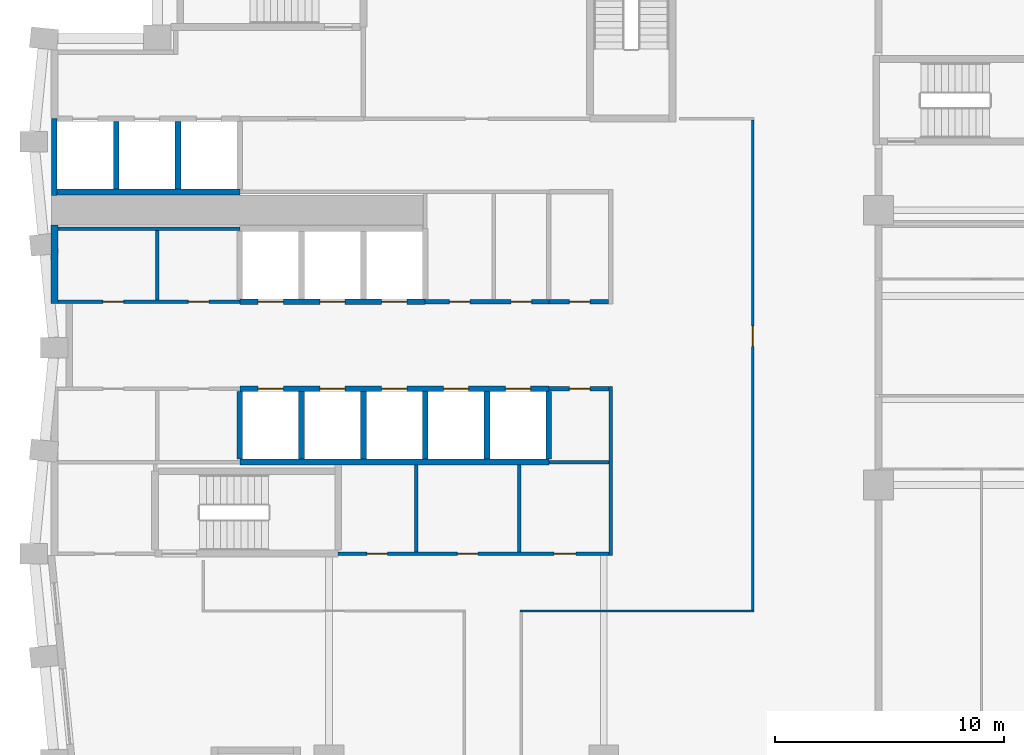
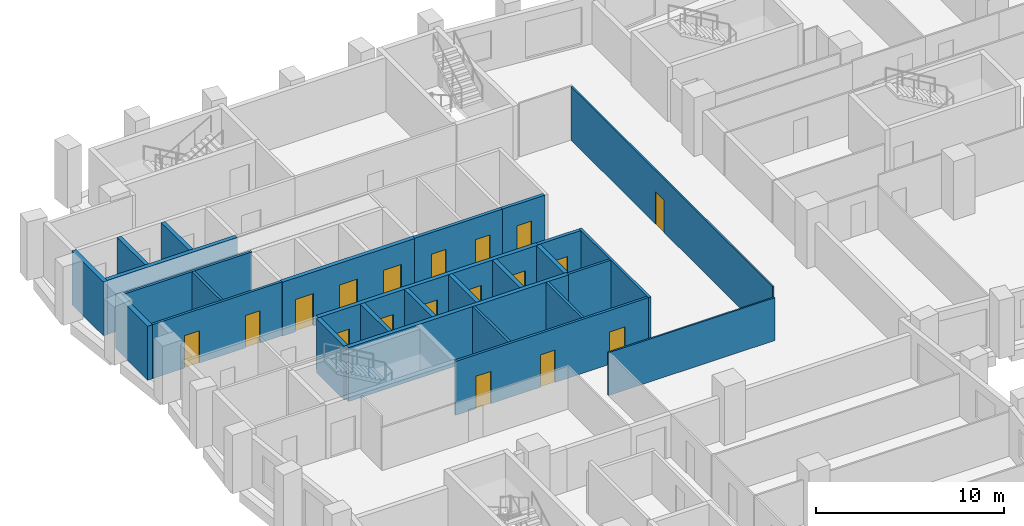
# One storey, part 5 of 11: 27 walls, 18 doors, 18 openings.
"""IFC4 building model written with IfcOpenShell, lengths in metres."""

from ifc_helpers import new_model, si_unit, direction, frame, frame_2d, origin, place, context, subcontext, project, spatial, rectangle, extrude, material, layer, layer_set, type_object, element, fill, save


model = new_model("IFC4")

# Units and contexts
model_context = context("Model", 3, precision=1e-05, world=origin(), true_north=direction((0.0, 1.0)))
body_context = subcontext(model_context, "Body", "Model", "MODEL_VIEW")
ifc_project = project(units=[si_unit("LENGTHUNIT", "METRE"), si_unit("AREAUNIT", "SQUARE_METRE"), si_unit("VOLUMEUNIT", "CUBIC_METRE"), si_unit("PLANEANGLEUNIT", "RADIAN"), si_unit("MASSUNIT", "GRAM", prefix="KILO")], contexts=[model_context])

# Site, building, storey
site_placement = place(None, origin())
site = spatial("IfcSite", under=ifc_project, at=site_placement, CompositionType="ELEMENT")
building_placement = place(site_placement, origin())
building = spatial("IfcBuilding", under=site, at=building_placement, Name="Brondeck Convention Tower", CompositionType="ELEMENT")
storey_placement = place(building_placement, frame((0.0, 0.0, 126.5)))
storey = spatial("IfcBuildingStorey", under=building, at=storey_placement, Name="L30", CompositionType="ELEMENT", Elevation=126.5)

# Wall, openings, doors
ifc_material_1 = material(Name="Concrete C70/85", Category="concrete")
ifc_layer_1 = layer(ifc_material_1, 0.14990234375)
ifc_layer_set_1 = layer_set([ifc_layer_1], Name="Core beam-seat wall 150 Concrete C70/85")
wall_type_1 = type_object("IfcWallType", Name="Core beam-seat wall 150 Concrete C70/85", PredefinedType="SHEAR", material=ifc_layer_set_1)
wall_1_placement = place(storey_placement, frame((12.39990234375, 36.0, 0.0), z_axis=(0.0, 0.0, 1.0), x_axis=(1.0, 0.0, 0.0)))
wall_1 = element("IfcWall", 1, at=wall_1_placement, inside=storey, type_object=wall_type_1, Name="L30 core wall", PredefinedType="SHEAR", context=body_context, shape_type="SweptSolid", body=[
    extrude(rectangle(XDim=11.8251953125, YDim=0.14990234375, at=frame_2d((5.91259765625, 0.0))), origin(), (0.0, 0.0, 1.0), 3.5),
])
opening_1_placement = place(wall_1_placement, frame((1.25, 0.0, 0.0)))
opening_1 = element("IfcOpeningElement", 2, at=opening_1_placement, cuts=wall_1, Name="Opening C17-03", PredefinedType="OPENING", context=body_context, shape_type="SweptSolid", body=[
    extrude(rectangle(XDim=0.89990234375, YDim=2.10009765625, at=frame_2d((0.449951171875, 1.050048828125))), frame((0.0, 0.0849609375, 0.0), z_axis=(0.0, -1.0, 0.0), x_axis=(1.0, 0.0, 0.0)), (0.0, 0.0, 1.0), 0.169921875),
])
opening_2_placement = place(wall_1_placement, frame((5.199951171875, 0.0, 0.0)))
opening_2 = element("IfcOpeningElement", 3, at=opening_2_placement, cuts=wall_1, Name="Opening C17-04", PredefinedType="OPENING", context=body_context, shape_type="SweptSolid", body=[
    extrude(rectangle(XDim=0.89990234375, YDim=2.10009765625, at=frame_2d((0.449951171875, 1.050048828125))), frame((0.0, 0.0849609375, 0.0), z_axis=(0.0, -1.0, 0.0), x_axis=(1.0, 0.0, 0.0)), (0.0, 0.0, 1.0), 0.169921875),
])
opening_3_placement = place(wall_1_placement, frame((9.425048828125, 0.0, 0.0)))
opening_3 = element("IfcOpeningElement", 4, at=opening_3_placement, cuts=wall_1, Name="Opening C17-05", PredefinedType="OPENING", context=body_context, shape_type="SweptSolid", body=[
    extrude(rectangle(XDim=0.949951171875, YDim=2.10009765625, at=frame_2d((0.47509765625, 1.050048828125))), frame((0.0, 0.0849609375, 0.0), z_axis=(0.0, -1.0, 0.0), x_axis=(1.0, 0.0, 0.0)), (0.0, 0.0, 1.0), 0.169921875),
])
ifc_material_2 = material(Name="Steel fire door", Category="steel")
door_type_1 = type_object("IfcDoorType", Name="Room door 900x2100 EI 60", OperationType="NOTDEFINED", PredefinedType="DOOR", material=ifc_material_2)
door_1_placement = place(opening_1_placement, origin())
door_1 = element("IfcDoor", 5, at=door_1_placement, inside=storey, type_object=door_type_1, Name="L30 Room door FR-1", OperationType="SINGLE_SWING_RIGHT", OverallHeight=2.10009765625, OverallWidth=0.89990234375, PredefinedType="DOOR", context=body_context, shape_type="SweptSolid", body=[
    extrude(rectangle(XDim=0.89990234375, YDim=2.10009765625, at=frame_2d((0.449951171875, 1.050048828125))), frame((0.0, 0.02490234375, 0.0), z_axis=(0.0, -1.0, 0.0), x_axis=(1.0, 0.0, 0.0)), (0.0, 0.0, 1.0), 0.050048828125),
])
fill(opening_1, door_1)
door_2_placement = place(opening_2_placement, origin())
door_2 = element("IfcDoor", 6, at=door_2_placement, inside=storey, type_object=door_type_1, Name="L30 Room door FR-2", OperationType="SINGLE_SWING_LEFT", OverallHeight=2.10009765625, OverallWidth=0.89990234375, PredefinedType="DOOR", context=body_context, shape_type="SweptSolid", body=[
    extrude(rectangle(XDim=0.89990234375, YDim=2.10009765625, at=frame_2d((0.449951171875, 1.050048828125))), frame((0.0, 0.02490234375, 0.0), z_axis=(0.0, -1.0, 0.0), x_axis=(1.0, 0.0, 0.0)), (0.0, 0.0, 1.0), 0.050048828125),
])
fill(opening_2, door_2)
door_type_2 = type_object("IfcDoorType", Name="Room door 950x2100 EI 60", OperationType="NOTDEFINED", PredefinedType="DOOR", material=ifc_material_2)
door_3_placement = place(opening_3_placement, origin())
door_3 = element("IfcDoor", 7, at=door_3_placement, inside=storey, type_object=door_type_2, Name="L30 Room door FR-3", OperationType="SINGLE_SWING_RIGHT", OverallHeight=2.10009765625, OverallWidth=0.949951171875, PredefinedType="DOOR", context=body_context, shape_type="SweptSolid", body=[
    extrude(rectangle(XDim=0.949951171875, YDim=2.10009765625, at=frame_2d((0.47509765625, 1.050048828125))), frame((0.0, 0.02490234375, 0.0), z_axis=(0.0, -1.0, 0.0), x_axis=(1.0, 0.0, 0.0)), (0.0, 0.0, 1.0), 0.050048828125),
])
fill(opening_3, door_3)

# Walls
ifc_layer_2 = layer(ifc_material_1, 0.300048828125)
ifc_layer_set_2 = layer_set([ifc_layer_2], Name="Core outer wall 300 Concrete C70/85")
wall_type_2 = type_object("IfcWallType", Name="Core outer wall 300 Concrete C70/85", PredefinedType="SHEAR", material=ifc_layer_set_2)
wall_2_placement = place(storey_placement, frame((0.0, 46.925048828125, 0.0), z_axis=(0.0, 0.0, 1.0), x_axis=(0.0, 1.0, 0.0)))
element("IfcWall", 8, at=wall_2_placement, inside=storey, type_object=wall_type_2, Name="L30 core wall", PredefinedType="SHEAR", context=body_context, shape_type="SweptSolid", body=[
    extrude(rectangle(XDim=3.425048828125, YDim=0.300048828125, at=frame_2d((1.71240234375, 0.0))), origin(), (0.0, 0.0, 1.0), 3.5),
])
ifc_material_3 = material(Name="Fire-rated gypsum board partition")
ifc_layer_3 = layer(ifc_material_3, 0.14990234375)
ifc_layer_set_3 = layer_set([ifc_layer_3], Name="Core partition 150 EI 60")
wall_type_3 = type_object("IfcWallType", Name="Core partition 150 EI 60", PredefinedType="PARTITIONING", material=ifc_layer_set_3)
wall_3_placement = place(storey_placement, frame((21.60009765625, 40.0, 0.0), z_axis=(0.0, 0.0, 1.0), x_axis=(1.0, 0.0, 0.0)))
element("IfcWall", 9, at=wall_3_placement, inside=storey, type_object=wall_type_3, Name="L30 core wall", PredefinedType="PARTITIONING", context=body_context, shape_type="SweptSolid", body=[
    extrude(rectangle(XDim=2.625, YDim=0.14990234375, at=frame_2d((1.3125, 0.0))), origin(), (0.0, 0.0, 1.0), 3.5),
])

# Wall, openings, doors
wall_4_placement = place(storey_placement, frame((0.14990234375, 47.0, 0.0), z_axis=(0.0, 0.0, 1.0), x_axis=(1.0, 0.0, 0.0)))
wall_4 = element("IfcWall", 10, at=wall_4_placement, inside=storey, type_object=wall_type_3, Name="L30 core wall", PredefinedType="PARTITIONING", context=body_context, shape_type="SweptSolid", body=[
    extrude(rectangle(XDim=7.9501953125, YDim=0.14990234375, at=frame_2d((3.97509765625, 0.0))), origin(), (0.0, 0.0, 1.0), 3.5),
])
opening_4_placement = place(wall_4_placement, frame((1.97509765625, 0.0, 0.0)))
opening_4 = element("IfcOpeningElement", 11, at=opening_4_placement, cuts=wall_4, Name="Opening C17-07", PredefinedType="OPENING", context=body_context, shape_type="SweptSolid", body=[
    extrude(rectangle(XDim=0.89990234375, YDim=2.10009765625, at=frame_2d((0.449951171875, 1.050048828125))), frame((0.0, 0.0849609375, 0.0), z_axis=(0.0, -1.0, 0.0), x_axis=(1.0, 0.0, 0.0)), (0.0, 0.0, 1.0), 0.169921875),
])
opening_5_placement = place(wall_4_placement, frame((5.699951171875, 0.0, 0.0)))
opening_5 = element("IfcOpeningElement", 12, at=opening_5_placement, cuts=wall_4, Name="Opening C17-08", PredefinedType="OPENING", context=body_context, shape_type="SweptSolid", body=[
    extrude(rectangle(XDim=0.89990234375, YDim=2.10009765625, at=frame_2d((0.449951171875, 1.050048828125))), frame((0.0, 0.0849609375, 0.0), z_axis=(0.0, -1.0, 0.0), x_axis=(1.0, 0.0, 0.0)), (0.0, 0.0, 1.0), 0.169921875),
])
door_4_placement = place(opening_4_placement, origin())
door_4 = element("IfcDoor", 13, at=door_4_placement, inside=storey, type_object=door_type_1, Name="L30 Room door FZ-N-0-1", OperationType="SINGLE_SWING_RIGHT", OverallHeight=2.10009765625, OverallWidth=0.89990234375, PredefinedType="DOOR", context=body_context, shape_type="SweptSolid", body=[
    extrude(rectangle(XDim=0.89990234375, YDim=2.10009765625, at=frame_2d((0.449951171875, 1.050048828125))), frame((0.0, 0.02490234375, 0.0), z_axis=(0.0, -1.0, 0.0), x_axis=(1.0, 0.0, 0.0)), (0.0, 0.0, 1.0), 0.050048828125),
])
fill(opening_4, door_4)
door_5_placement = place(opening_5_placement, origin())
door_5 = element("IfcDoor", 14, at=door_5_placement, inside=storey, type_object=door_type_1, Name="L30 Room door FZ-N-0-2", OperationType="SINGLE_SWING_LEFT", OverallHeight=2.10009765625, OverallWidth=0.89990234375, PredefinedType="DOOR", context=body_context, shape_type="SweptSolid", body=[
    extrude(rectangle(XDim=0.89990234375, YDim=2.10009765625, at=frame_2d((0.449951171875, 1.050048828125))), frame((0.0, 0.02490234375, 0.0), z_axis=(0.0, -1.0, 0.0), x_axis=(1.0, 0.0, 0.0)), (0.0, 0.0, 1.0), 0.050048828125),
])
fill(opening_5, door_5)

# Walls
wall_5_placement = place(storey_placement, frame((0.14990234375, 50.199951171875, 0.0), z_axis=(0.0, 0.0, 1.0), x_axis=(1.0, 0.0, 0.0)))
element("IfcWall", 15, at=wall_5_placement, inside=storey, type_object=wall_type_3, Name="L30 core wall", PredefinedType="PARTITIONING", context=body_context, shape_type="SweptSolid", body=[
    extrude(rectangle(XDim=7.9501953125, YDim=0.14990234375, at=frame_2d((3.97509765625, 0.0))), origin(), (0.0, 0.0, 1.0), 3.5),
])
wall_6_placement = place(storey_placement, frame((4.5, 47.074951171875, 0.0), z_axis=(0.0, 0.0, 1.0), x_axis=(0.0, 1.0, 0.0)))
element("IfcWall", 16, at=wall_6_placement, inside=storey, type_object=wall_type_3, Name="L30 core wall", PredefinedType="PARTITIONING", context=body_context, shape_type="SweptSolid", body=[
    extrude(rectangle(XDim=3.050048828125, YDim=0.14990234375, at=frame_2d((1.52490234375, 0.0))), origin(), (0.0, 0.0, 1.0), 3.5),
])
for number, where, z_axis, x_axis, name in (
    (17, (15.800048828125, 36.074951171875, 0.0), (0.0, 0.0, 1.0), (0.0, 1.0, 0.0), "L30 core wall"),
    (18, (20.300048828125, 36.074951171875, 0.0), (0.0, 0.0, 1.0), (0.0, 1.0, 0.0), "L30 core wall"),
):
    element("IfcWall", number, at=place(storey_placement, frame(where, z_axis=z_axis, x_axis=x_axis)), inside=storey, type_object=wall_type_3, Name=name, PredefinedType="PARTITIONING", context=body_context, shape_type="SweptSolid", body=[
        extrude(rectangle(XDim=3.800048828125, YDim=0.14990234375, at=frame_2d((1.89990234375, 0.0))), origin(), (0.0, 0.0, 1.0), 3.5),
    ])
wall_7_placement = place(storey_placement, frame((24.300048828125, 35.925048828125, 0.0), z_axis=(0.0, 0.0, 1.0), x_axis=(0.0, 1.0, 0.0)))
element("IfcWall", 19, at=wall_7_placement, inside=storey, type_object=wall_type_3, Name="L30 core wall", PredefinedType="PARTITIONING", context=body_context, shape_type="SweptSolid", body=[
    extrude(rectangle(XDim=7.375, YDim=0.14990234375, at=frame_2d((3.6875, 0.0))), origin(), (0.0, 0.0, 1.0), 3.5),
])

# Wall, opening, door
ifc_layer_4 = layer(ifc_material_3, 0.199951171875)
ifc_layer_set_4 = layer_set([ifc_layer_4], Name="Lift lobby wall 200 EI 60")
wall_type_4 = type_object("IfcWallType", Name="Lift lobby wall 200 EI 60", PredefinedType="PARTITIONING", material=ifc_layer_set_4)
wall_8_placement = place(storey_placement, frame((21.60009765625, 43.199951171875, 0.0), z_axis=(0.0, 0.0, 1.0), x_axis=(1.0, 0.0, 0.0)))
wall_8 = element("IfcWall", 20, at=wall_8_placement, inside=storey, type_object=wall_type_4, Name="L30 core wall", PredefinedType="PARTITIONING", context=body_context, shape_type="SweptSolid", body=[
    extrude(rectangle(XDim=2.625, YDim=0.199951171875, at=frame_2d((1.3125, 0.0))), origin(), (0.0, 0.0, 1.0), 3.5),
])
opening_6_placement = place(wall_8_placement, frame((0.89990234375, 0.0, 0.0)))
opening_6 = element("IfcOpeningElement", 21, at=opening_6_placement, cuts=wall_8, Name="Opening C17-13", PredefinedType="OPENING", context=body_context, shape_type="SweptSolid", body=[
    extrude(rectangle(XDim=0.89990234375, YDim=2.10009765625, at=frame_2d((0.449951171875, 1.050048828125))), frame((0.0, 0.10986328125, 0.0), z_axis=(0.0, -1.0, 0.0), x_axis=(1.0, 0.0, 0.0)), (0.0, 0.0, 1.0), 0.219970703125),
])
door_6_placement = place(opening_6_placement, origin())
door_6 = element("IfcDoor", 22, at=door_6_placement, inside=storey, type_object=door_type_1, Name="L30 Room door FZ-S-21.6-1", OperationType="SINGLE_SWING_RIGHT", OverallHeight=2.10009765625, OverallWidth=0.89990234375, PredefinedType="DOOR", context=body_context, shape_type="SweptSolid", body=[
    extrude(rectangle(XDim=0.89990234375, YDim=2.10009765625, at=frame_2d((0.449951171875, 1.050048828125))), frame((0.0, 0.02490234375, 0.0), z_axis=(0.0, -1.0, 0.0), x_axis=(1.0, 0.0, 0.0)), (0.0, 0.0, 1.0), 0.050048828125),
])
fill(opening_6, door_6)

# Wall, openings, doors
wall_9_placement = place(storey_placement, frame((16.199951171875, 47.0, 0.0), z_axis=(0.0, 0.0, 1.0), x_axis=(1.0, 0.0, 0.0)))
wall_9 = element("IfcWall", 23, at=wall_9_placement, inside=storey, type_object=wall_type_4, Name="L30 core wall", PredefinedType="PARTITIONING", context=body_context, shape_type="SweptSolid", body=[
    extrude(rectangle(XDim=5.400146484375, YDim=0.199951171875, at=frame_2d((2.7001953125, 0.0))), origin(), (0.0, 0.0, 1.0), 3.5),
])
opening_7_placement = place(wall_9_placement, frame((1.050048828125, 0.0, 0.0)))
opening_7 = element("IfcOpeningElement", 24, at=opening_7_placement, cuts=wall_9, Name="Opening C17-09", PredefinedType="OPENING", context=body_context, shape_type="SweptSolid", body=[
    extrude(rectangle(XDim=0.89990234375, YDim=2.10009765625, at=frame_2d((0.449951171875, 1.050048828125))), frame((0.0, 0.10986328125, 0.0), z_axis=(0.0, -1.0, 0.0), x_axis=(1.0, 0.0, 0.0)), (0.0, 0.0, 1.0), 0.219970703125),
])
opening_8_placement = place(wall_9_placement, frame((3.75, 0.0, 0.0)))
opening_8 = element("IfcOpeningElement", 25, at=opening_8_placement, cuts=wall_9, Name="Opening C17-10", PredefinedType="OPENING", context=body_context, shape_type="SweptSolid", body=[
    extrude(rectangle(XDim=0.89990234375, YDim=2.10009765625, at=frame_2d((0.449951171875, 1.050048828125))), frame((0.0, 0.10986328125, 0.0), z_axis=(0.0, -1.0, 0.0), x_axis=(1.0, 0.0, 0.0)), (0.0, 0.0, 1.0), 0.219970703125),
])
door_7_placement = place(opening_7_placement, origin())
door_7 = element("IfcDoor", 26, at=door_7_placement, inside=storey, type_object=door_type_1, Name="L30 Room door FZ-N-16.2-1", OperationType="SINGLE_SWING_LEFT", OverallHeight=2.10009765625, OverallWidth=0.89990234375, PredefinedType="DOOR", context=body_context, shape_type="SweptSolid", body=[
    extrude(rectangle(XDim=0.89990234375, YDim=2.10009765625, at=frame_2d((0.449951171875, 1.050048828125))), frame((0.0, 0.02490234375, 0.0), z_axis=(0.0, -1.0, 0.0), x_axis=(1.0, 0.0, 0.0)), (0.0, 0.0, 1.0), 0.050048828125),
])
fill(opening_7, door_7)
door_8_placement = place(opening_8_placement, origin())
door_8 = element("IfcDoor", 27, at=door_8_placement, inside=storey, type_object=door_type_1, Name="L30 Room door FZ-N-16.2-2", OperationType="SINGLE_SWING_RIGHT", OverallHeight=2.10009765625, OverallWidth=0.89990234375, PredefinedType="DOOR", context=body_context, shape_type="SweptSolid", body=[
    extrude(rectangle(XDim=0.89990234375, YDim=2.10009765625, at=frame_2d((0.449951171875, 1.050048828125))), frame((0.0, 0.02490234375, 0.0), z_axis=(0.0, -1.0, 0.0), x_axis=(1.0, 0.0, 0.0)), (0.0, 0.0, 1.0), 0.050048828125),
])
fill(opening_8, door_8)

# Wall
ifc_layer_5 = layer(ifc_material_1, 0.25)
ifc_layer_set_5 = layer_set([ifc_layer_5], Name="Lift shaft wall 250 Concrete C70/85")
wall_type_5 = type_object("IfcWallType", Name="Lift shaft wall 250 Concrete C70/85", PredefinedType="SHEAR", material=ifc_layer_set_5)
wall_10_placement = place(storey_placement, frame((8.10009765625, 40.0, 0.0), z_axis=(0.0, 0.0, 1.0), x_axis=(1.0, 0.0, 0.0)))
element("IfcWall", 28, at=wall_10_placement, inside=storey, type_object=wall_type_5, Name="L30 core wall", PredefinedType="SHEAR", context=body_context, shape_type="SweptSolid", body=[
    extrude(rectangle(XDim=13.5, YDim=0.25, at=frame_2d((6.75, 0.0))), origin(), (0.0, 0.0, 1.0), 3.5),
])

# Wall, openings, doors
wall_11_placement = place(storey_placement, frame((8.10009765625, 43.199951171875, 0.0), z_axis=(0.0, 0.0, 1.0), x_axis=(1.0, 0.0, 0.0)))
wall_11 = element("IfcWall", 29, at=wall_11_placement, inside=storey, type_object=wall_type_5, Name="L30 core wall", PredefinedType="SHEAR", context=body_context, shape_type="SweptSolid", body=[
    extrude(rectangle(XDim=13.5, YDim=0.25, at=frame_2d((6.75, 0.0))), origin(), (0.0, 0.0, 1.0), 3.5),
])
opening_9_placement = place(wall_11_placement, frame((0.800048828125, 0.0, 0.0)))
opening_9 = element("IfcOpeningElement", 30, at=opening_9_placement, cuts=wall_11, Name="Opening C17-25", PredefinedType="OPENING", context=body_context, shape_type="SweptSolid", body=[
    extrude(rectangle(XDim=1.10009765625, YDim=2.10009765625, at=frame_2d((0.550048828125, 1.050048828125))), frame((0.0, 0.135009765625, 0.0), z_axis=(0.0, -1.0, 0.0), x_axis=(1.0, 0.0, 0.0)), (0.0, 0.0, 1.0), 0.27001953125),
])
opening_10_placement = place(wall_11_placement, frame((3.5, 0.0, 0.0)))
opening_10 = element("IfcOpeningElement", 31, at=opening_10_placement, cuts=wall_11, Name="Opening C17-26", PredefinedType="OPENING", context=body_context, shape_type="SweptSolid", body=[
    extrude(rectangle(XDim=1.10009765625, YDim=2.10009765625, at=frame_2d((0.550048828125, 1.050048828125))), frame((0.0, 0.135009765625, 0.0), z_axis=(0.0, -1.0, 0.0), x_axis=(1.0, 0.0, 0.0)), (0.0, 0.0, 1.0), 0.27001953125),
])
opening_11_placement = place(wall_11_placement, frame((6.199951171875, 0.0, 0.0)))
opening_11 = element("IfcOpeningElement", 32, at=opening_11_placement, cuts=wall_11, Name="Opening C17-27", PredefinedType="OPENING", context=body_context, shape_type="SweptSolid", body=[
    extrude(rectangle(XDim=1.10009765625, YDim=2.10009765625, at=frame_2d((0.550048828125, 1.050048828125))), frame((0.0, 0.135009765625, 0.0), z_axis=(0.0, -1.0, 0.0), x_axis=(1.0, 0.0, 0.0)), (0.0, 0.0, 1.0), 0.27001953125),
])
opening_12_placement = place(wall_11_placement, frame((8.89990234375, 0.0, 0.0)))
opening_12 = element("IfcOpeningElement", 33, at=opening_12_placement, cuts=wall_11, Name="Opening C17-31", PredefinedType="OPENING", context=body_context, shape_type="SweptSolid", body=[
    extrude(rectangle(XDim=1.10009765625, YDim=2.10009765625, at=frame_2d((0.550048828125, 1.050048828125))), frame((0.0, 0.135009765625, 0.0), z_axis=(0.0, -1.0, 0.0), x_axis=(1.0, 0.0, 0.0)), (0.0, 0.0, 1.0), 0.27001953125),
])
opening_13_placement = place(wall_11_placement, frame((11.60009765625, 0.0, 0.0)))
opening_13 = element("IfcOpeningElement", 34, at=opening_13_placement, cuts=wall_11, Name="Opening C17-32", PredefinedType="OPENING", context=body_context, shape_type="SweptSolid", body=[
    extrude(rectangle(XDim=1.10009765625, YDim=2.10009765625, at=frame_2d((0.550048828125, 1.050048828125))), frame((0.0, 0.135009765625, 0.0), z_axis=(0.0, -1.0, 0.0), x_axis=(1.0, 0.0, 0.0)), (0.0, 0.0, 1.0), 0.27001953125),
])
ifc_material_4 = material(Name="Stainless steel lift door", Category="steel")
door_type_3 = type_object("IfcDoorType", Name="Lift landing door 1100x2100 EI 180", OperationType="DOUBLE_DOOR_SLIDING", PredefinedType="DOOR", material=ifc_material_4)
door_9_placement = place(opening_9_placement, origin())
door_9 = element("IfcDoor", 35, at=door_9_placement, inside=storey, type_object=door_type_3, Name="L30 Lift landing door LR1", OperationType="DOUBLE_DOOR_SLIDING", OverallHeight=2.10009765625, OverallWidth=1.10009765625, PredefinedType="DOOR", context=body_context, shape_type="SweptSolid", body=[
    extrude(rectangle(XDim=1.10009765625, YDim=2.10009765625, at=frame_2d((0.550048828125, 1.050048828125))), frame((0.0, 0.02490234375, 0.0), z_axis=(0.0, -1.0, 0.0), x_axis=(1.0, 0.0, 0.0)), (0.0, 0.0, 1.0), 0.050048828125),
])
fill(opening_9, door_9)
door_10_placement = place(opening_10_placement, origin())
door_10 = element("IfcDoor", 36, at=door_10_placement, inside=storey, type_object=door_type_3, Name="L30 Lift landing door LR2", OperationType="DOUBLE_DOOR_SLIDING", OverallHeight=2.10009765625, OverallWidth=1.10009765625, PredefinedType="DOOR", context=body_context, shape_type="SweptSolid", body=[
    extrude(rectangle(XDim=1.10009765625, YDim=2.10009765625, at=frame_2d((0.550048828125, 1.050048828125))), frame((0.0, 0.02490234375, 0.0), z_axis=(0.0, -1.0, 0.0), x_axis=(1.0, 0.0, 0.0)), (0.0, 0.0, 1.0), 0.050048828125),
])
fill(opening_10, door_10)
door_11_placement = place(opening_11_placement, origin())
door_11 = element("IfcDoor", 37, at=door_11_placement, inside=storey, type_object=door_type_3, Name="L30 Lift landing door LR3", OperationType="DOUBLE_DOOR_SLIDING", OverallHeight=2.10009765625, OverallWidth=1.10009765625, PredefinedType="DOOR", context=body_context, shape_type="SweptSolid", body=[
    extrude(rectangle(XDim=1.10009765625, YDim=2.10009765625, at=frame_2d((0.550048828125, 1.050048828125))), frame((0.0, 0.02490234375, 0.0), z_axis=(0.0, -1.0, 0.0), x_axis=(1.0, 0.0, 0.0)), (0.0, 0.0, 1.0), 0.050048828125),
])
fill(opening_11, door_11)
door_12_placement = place(opening_12_placement, origin())
door_12 = element("IfcDoor", 38, at=door_12_placement, inside=storey, type_object=door_type_3, Name="L30 Lift landing door SH1", OperationType="DOUBLE_DOOR_SLIDING", OverallHeight=2.10009765625, OverallWidth=1.10009765625, PredefinedType="DOOR", context=body_context, shape_type="SweptSolid", body=[
    extrude(rectangle(XDim=1.10009765625, YDim=2.10009765625, at=frame_2d((0.550048828125, 1.050048828125))), frame((0.0, 0.02490234375, 0.0), z_axis=(0.0, -1.0, 0.0), x_axis=(1.0, 0.0, 0.0)), (0.0, 0.0, 1.0), 0.050048828125),
])
fill(opening_12, door_12)
door_13_placement = place(opening_13_placement, origin())
door_13 = element("IfcDoor", 39, at=door_13_placement, inside=storey, type_object=door_type_3, Name="L30 Lift landing door SH2", OperationType="DOUBLE_DOOR_SLIDING", OverallHeight=2.10009765625, OverallWidth=1.10009765625, PredefinedType="DOOR", context=body_context, shape_type="SweptSolid", body=[
    extrude(rectangle(XDim=1.10009765625, YDim=2.10009765625, at=frame_2d((0.550048828125, 1.050048828125))), frame((0.0, 0.02490234375, 0.0), z_axis=(0.0, -1.0, 0.0), x_axis=(1.0, 0.0, 0.0)), (0.0, 0.0, 1.0), 0.050048828125),
])
fill(opening_13, door_13)

wall_12_placement = place(storey_placement, frame((8.10009765625, 47.0, 0.0), z_axis=(0.0, 0.0, 1.0), x_axis=(1.0, 0.0, 0.0)))
wall_12 = element("IfcWall", 40, at=wall_12_placement, inside=storey, type_object=wall_type_5, Name="L30 core wall", PredefinedType="SHEAR", context=body_context, shape_type="SweptSolid", body=[
    extrude(rectangle(XDim=8.099853515625, YDim=0.25, at=frame_2d((4.0498046875, 0.0))), origin(), (0.0, 0.0, 1.0), 3.5),
])
opening_14_placement = place(wall_12_placement, frame((0.800048828125, 0.0, 0.0)))
opening_14 = element("IfcOpeningElement", 41, at=opening_14_placement, cuts=wall_12, Name="Opening C17-28", PredefinedType="OPENING", context=body_context, shape_type="SweptSolid", body=[
    extrude(rectangle(XDim=1.10009765625, YDim=2.10009765625, at=frame_2d((0.550048828125, 1.050048828125))), frame((0.0, 0.135009765625, 0.0), z_axis=(0.0, -1.0, 0.0), x_axis=(1.0, 0.0, 0.0)), (0.0, 0.0, 1.0), 0.27001953125),
])
opening_15_placement = place(wall_12_placement, frame((3.5, 0.0, 0.0)))
opening_15 = element("IfcOpeningElement", 42, at=opening_15_placement, cuts=wall_12, Name="Opening C17-29", PredefinedType="OPENING", context=body_context, shape_type="SweptSolid", body=[
    extrude(rectangle(XDim=1.10009765625, YDim=2.10009765625, at=frame_2d((0.550048828125, 1.050048828125))), frame((0.0, 0.135009765625, 0.0), z_axis=(0.0, -1.0, 0.0), x_axis=(1.0, 0.0, 0.0)), (0.0, 0.0, 1.0), 0.27001953125),
])
opening_16_placement = place(wall_12_placement, frame((6.199951171875, 0.0, 0.0)))
opening_16 = element("IfcOpeningElement", 43, at=opening_16_placement, cuts=wall_12, Name="Opening C17-30", PredefinedType="OPENING", context=body_context, shape_type="SweptSolid", body=[
    extrude(rectangle(XDim=1.10009765625, YDim=2.10009765625, at=frame_2d((0.550048828125, 1.050048828125))), frame((0.0, 0.135009765625, 0.0), z_axis=(0.0, -1.0, 0.0), x_axis=(1.0, 0.0, 0.0)), (0.0, 0.0, 1.0), 0.27001953125),
])
door_14_placement = place(opening_14_placement, origin())
door_14 = element("IfcDoor", 44, at=door_14_placement, inside=storey, type_object=door_type_3, Name="L30 Lift landing door LR4", OperationType="DOUBLE_DOOR_SLIDING", OverallHeight=2.10009765625, OverallWidth=1.10009765625, PredefinedType="DOOR", context=body_context, shape_type="SweptSolid", body=[
    extrude(rectangle(XDim=1.10009765625, YDim=2.10009765625, at=frame_2d((0.550048828125, 1.050048828125))), frame((0.0, 0.02490234375, 0.0), z_axis=(0.0, -1.0, 0.0), x_axis=(1.0, 0.0, 0.0)), (0.0, 0.0, 1.0), 0.050048828125),
])
fill(opening_14, door_14)
door_15_placement = place(opening_15_placement, origin())
door_15 = element("IfcDoor", 45, at=door_15_placement, inside=storey, type_object=door_type_3, Name="L30 Lift landing door LR5", OperationType="DOUBLE_DOOR_SLIDING", OverallHeight=2.10009765625, OverallWidth=1.10009765625, PredefinedType="DOOR", context=body_context, shape_type="SweptSolid", body=[
    extrude(rectangle(XDim=1.10009765625, YDim=2.10009765625, at=frame_2d((0.550048828125, 1.050048828125))), frame((0.0, 0.02490234375, 0.0), z_axis=(0.0, -1.0, 0.0), x_axis=(1.0, 0.0, 0.0)), (0.0, 0.0, 1.0), 0.050048828125),
])
fill(opening_15, door_15)
door_16_placement = place(opening_16_placement, origin())
door_16 = element("IfcDoor", 46, at=door_16_placement, inside=storey, type_object=door_type_3, Name="L30 Lift landing door LR6", OperationType="DOUBLE_DOOR_SLIDING", OverallHeight=2.10009765625, OverallWidth=1.10009765625, PredefinedType="DOOR", context=body_context, shape_type="SweptSolid", body=[
    extrude(rectangle(XDim=1.10009765625, YDim=2.10009765625, at=frame_2d((0.550048828125, 1.050048828125))), frame((0.0, 0.02490234375, 0.0), z_axis=(0.0, -1.0, 0.0), x_axis=(1.0, 0.0, 0.0)), (0.0, 0.0, 1.0), 0.050048828125),
])
fill(opening_16, door_16)

# Walls
wall_13_placement = place(storey_placement, frame((0.125, 51.800048828125, 0.0), z_axis=(0.0, 0.0, 1.0), x_axis=(1.0, 0.0, 0.0)))
element("IfcWall", 47, at=wall_13_placement, inside=storey, type_object=wall_type_5, Name="L30 core wall", PredefinedType="SHEAR", context=body_context, shape_type="SweptSolid", body=[
    extrude(rectangle(XDim=7.97509765625, YDim=0.25, at=frame_2d((3.987548828125, 0.0))), origin(), (0.0, 0.0, 1.0), 3.5),
])
wall_14_placement = place(storey_placement, frame((0.0, 51.64990234375, 0.0), z_axis=(0.0, 0.0, 1.0), x_axis=(0.0, 1.0, 0.0)))
element("IfcWall", 48, at=wall_14_placement, inside=storey, type_object=wall_type_5, Name="L30 core wall", PredefinedType="SHEAR", context=body_context, shape_type="SweptSolid", body=[
    extrude(rectangle(XDim=3.35009765625, YDim=0.25, at=frame_2d((1.675048828125, 0.0))), origin(), (0.0, 0.0, 1.0), 3.5),
])
for number, where, z_axis, x_axis, name in (
    (49, (2.699951171875, 51.925048828125, 0.0), (0.0, 0.0, 1.0), (0.0, 1.0, 0.0), "L30 core wall"),
    (50, (5.39990234375, 51.925048828125, 0.0), (0.0, 0.0, 1.0), (0.0, 1.0, 0.0), "L30 core wall"),
    (51, (8.10009765625, 40.125, 0.0), (0.0, 0.0, 1.0), (0.0, 1.0, 0.0), "L30 core wall"),
    (52, (10.800048828125, 40.125, 0.0), (0.0, 0.0, 1.0), (0.0, 1.0, 0.0), "L30 core wall"),
    (53, (13.5, 40.125, 0.0), (0.0, 0.0, 1.0), (0.0, 1.0, 0.0), "L30 core wall"),
    (54, (16.199951171875, 40.125, 0.0), (0.0, 0.0, 1.0), (0.0, 1.0, 0.0), "L30 core wall"),
    (55, (18.89990234375, 40.125, 0.0), (0.0, 0.0, 1.0), (0.0, 1.0, 0.0), "L30 core wall"),
    (56, (21.60009765625, 40.125, 0.0), (0.0, 0.0, 1.0), (0.0, 1.0, 0.0), "L30 core wall"),
):
    element("IfcWall", number, at=place(storey_placement, frame(where, z_axis=z_axis, x_axis=x_axis)), inside=storey, type_object=wall_type_5, Name=name, PredefinedType="SHEAR", context=body_context, shape_type="SweptSolid", body=[
        extrude(rectangle(XDim=2.949951171875, YDim=0.25, at=frame_2d((1.47509765625, 0.0))), origin(), (0.0, 0.0, 1.0), 3.5),
    ])

# Wall, opening, door
ifc_layer_6 = layer(ifc_material_3, 0.199951171875)
ifc_layer_set_6 = layer_set([ifc_layer_6], Name="Riser wall 200 EI 120")
wall_type_6 = type_object("IfcWallType", Name="Riser wall 200 EI 120", PredefinedType="PARTITIONING", material=ifc_layer_set_6)
wall_15_placement = place(storey_placement, frame((21.60009765625, 47.0, 0.0), z_axis=(0.0, 0.0, 1.0), x_axis=(1.0, 0.0, 0.0)))
wall_15 = element("IfcWall", 57, at=wall_15_placement, inside=storey, type_object=wall_type_6, Name="L30 core wall", PredefinedType="PARTITIONING", context=body_context, shape_type="SweptSolid", body=[
    extrude(rectangle(XDim=2.599853515625, YDim=0.199951171875, at=frame_2d((1.2998046875, 0.0))), origin(), (0.0, 0.0, 1.0), 3.5),
])
opening_17_placement = place(wall_15_placement, frame((0.89990234375, 0.0, 0.0)))
opening_17 = element("IfcOpeningElement", 58, at=opening_17_placement, cuts=wall_15, Name="Opening C17-02", PredefinedType="OPENING", context=body_context, shape_type="SweptSolid", body=[
    extrude(rectangle(XDim=0.89990234375, YDim=2.10009765625, at=frame_2d((0.449951171875, 1.050048828125))), frame((0.0, 0.10986328125, 0.0), z_axis=(0.0, -1.0, 0.0), x_axis=(1.0, 0.0, 0.0)), (0.0, 0.0, 1.0), 0.219970703125),
])
door_type_4 = type_object("IfcDoorType", Name="Riser door 900x2100 EI 120", OperationType="NOTDEFINED", PredefinedType="DOOR", material=ifc_material_2)
door_17_placement = place(opening_17_placement, origin())
door_17 = element("IfcDoor", 59, at=door_17_placement, inside=storey, type_object=door_type_4, Name="L30 Riser door EN-1", OperationType="SINGLE_SWING_LEFT", OverallHeight=2.10009765625, OverallWidth=0.89990234375, PredefinedType="DOOR", context=body_context, shape_type="SweptSolid", body=[
    extrude(rectangle(XDim=0.89990234375, YDim=2.10009765625, at=frame_2d((0.449951171875, 1.050048828125))), frame((0.0, 0.02490234375, 0.0), z_axis=(0.0, -1.0, 0.0), x_axis=(1.0, 0.0, 0.0)), (0.0, 0.0, 1.0), 0.050048828125),
])
fill(opening_17, door_17)

# Wall
ifc_material_5 = material(Name="Gypsum board partition on steel studs", Category="steel")
ifc_layer_7 = layer(ifc_material_5, 0.10009765625)
ifc_layer_set_7 = layer_set([ifc_layer_7], Name="Room partition 100")
wall_type_7 = type_object("IfcWallType", Name="Room partition 100", PredefinedType="PARTITIONING", material=ifc_layer_set_7)
wall_16_placement = place(storey_placement, frame((30.550048828125, 33.5, 0.0), z_axis=(0.0, 0.0, 1.0), x_axis=(-1.0, 0.0, 0.0)))
element("IfcWall", 60, at=wall_16_placement, inside=storey, type_object=wall_type_7, Name="FLR-L30-W029", PredefinedType="PARTITIONING", context=body_context, shape_type="SweptSolid", body=[
    extrude(rectangle(XDim=10.199951171875, YDim=0.10009765625, at=frame_2d((5.10009765625, 0.0))), origin(), (0.0, 0.0, 1.0), 2.780029296875),
])

# Wall, opening, door
wall_17_placement = place(storey_placement, frame((30.5, 54.949951171875, 0.0), z_axis=(0.0, 0.0, 1.0), x_axis=(0.0, -1.0, 0.0)))
wall_17 = element("IfcWall", 61, at=wall_17_placement, inside=storey, type_object=wall_type_7, Name="FLR-L30-W074", PredefinedType="PARTITIONING", context=body_context, shape_type="SweptSolid", body=[
    extrude(rectangle(XDim=21.39990234375, YDim=0.10009765625, at=frame_2d((10.699951171875, 0.0))), origin(), (0.0, 0.0, 1.0), 3.47998046875),
])
opening_18_placement = place(wall_17_placement, frame((9.0, 0.0, 0.0)))
opening_18 = element("IfcOpeningElement", 62, at=opening_18_placement, cuts=wall_17, Name="Opening OF-D-024", PredefinedType="OPENING", context=body_context, shape_type="SweptSolid", body=[
    extrude(rectangle(XDim=0.89990234375, YDim=2.10009765625, at=frame_2d((0.449951171875, 1.050048828125))), frame((0.0, 0.06005859375, 0.0), z_axis=(0.0, -1.0, 0.0), x_axis=(1.0, 0.0, 0.0)), (0.0, 0.0, 1.0), 0.1201171875),
])
ifc_material_6 = material(Name="Solid timber door leaf", Category="wood")
door_type_5 = type_object("IfcDoorType", Name="Single door 900", OperationType="NOTDEFINED", PredefinedType="DOOR", material=ifc_material_6)
door_18_placement = place(opening_18_placement, origin())
door_18 = element("IfcDoor", 63, at=door_18_placement, inside=storey, type_object=door_type_5, Name="Door OF-D-024", OperationType="SINGLE_SWING_LEFT", OverallHeight=2.10009765625, OverallWidth=0.89990234375, PredefinedType="DOOR", context=body_context, shape_type="SweptSolid", body=[
    extrude(rectangle(XDim=0.89990234375, YDim=2.10009765625, at=frame_2d((0.449951171875, 1.050048828125))), frame((0.0, 0.02490234375, 0.0), z_axis=(0.0, -1.0, 0.0), x_axis=(1.0, 0.0, 0.0)), (0.0, 0.0, 1.0), 0.050048828125),
])
fill(opening_18, door_18)

save(model, "model.ifc")
